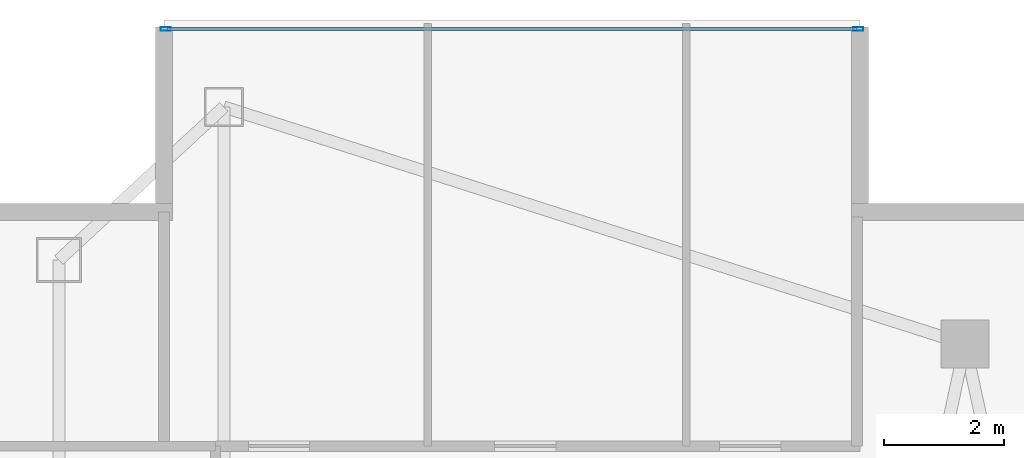
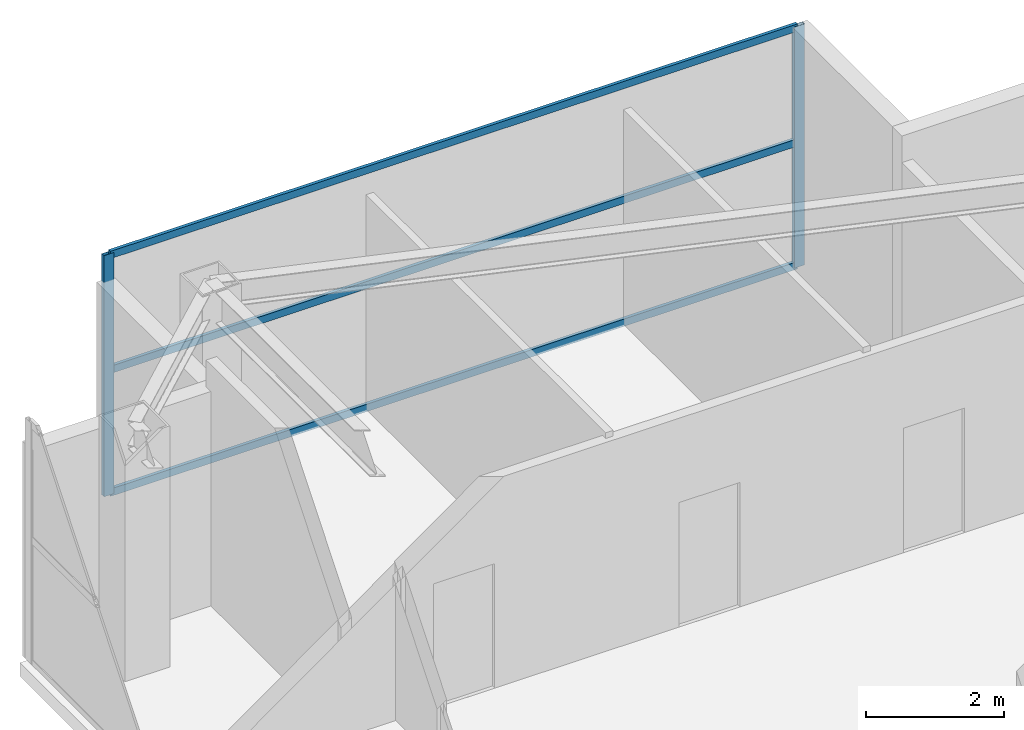
# One storey, part 19 of 25: 5 members, 1 element without a shape of its own.
"""IFC4 building model written with IfcOpenShell, lengths in metres."""

from ifc_helpers import new_model, si_unit, direction, frame, origin, origin_2d, place, context, subcontext, project, spatial, hollow_rectangle, extrude, material, layer, layer_set, material_profile, profile_set, type_object, element, aggregate, save


model = new_model("IFC4")

# Units and contexts
model_context = context("Model", 3, precision=1e-05, world=origin(), true_north=direction((0.0, 1.0)))
body_context = subcontext(model_context, "Body", "Model", "MODEL_VIEW")
ifc_project = project(units=[si_unit("LENGTHUNIT", "METRE"), si_unit("AREAUNIT", "SQUARE_METRE"), si_unit("VOLUMEUNIT", "CUBIC_METRE"), si_unit("PLANEANGLEUNIT", "RADIAN"), si_unit("MASSUNIT", "GRAM", prefix="KILO")], contexts=[model_context])

# Site, building, storey
site_placement = place(None, origin())
site = spatial("IfcSite", under=ifc_project, at=site_placement, CompositionType="ELEMENT")
building_placement = place(site_placement, origin())
building = spatial("IfcBuilding", under=site, at=building_placement, Name="Calvorn Quay Hotel", CompositionType="ELEMENT")
storey_placement = place(building_placement, frame((0.0, 0.0, 311.5)))
storey = spatial("IfcBuildingStorey", under=building, at=storey_placement, Name="L77", CompositionType="ELEMENT", Elevation=311.5)

# Curtain wall, members
ifc_material_1 = material(Name="Champagne Bronze Anodised Aluminium and Low-E Glass", Category="aluminium")
ifc_layer = layer(ifc_material_1, 0.219970703125)
ifc_layer_set = layer_set([ifc_layer], Name="CW-SYS-Z4")
curtain_wall_type = type_object("IfcCurtainWallType", Name="CW-SYS-Z4", PredefinedType="NOTDEFINED", material=ifc_layer_set)
curtain_wall_placement = place(storey_placement, origin())
curtain_wall = element("IfcCurtainWall", 1, at=curtain_wall_placement, inside=storey, type_object=curtain_wall_type, Name="Inner Court Curtain Wall L77-N1", PredefinedType="NOTDEFINED")
ifc_material_2 = material(Name="Champagne Bronze Anodised Aluminium 6063-T6", Category="aluminium")
ifc_material_profile_1 = material_profile(ifc_material_2, hollow_rectangle(XDim=0.06494140625, YDim=0.169921875, WallThickness=0.00341796875, at=origin_2d()), Name="ALU-M170x65x3.5")
ifc_profile_set_1 = profile_set([ifc_material_profile_1], Name="Champagne Bronze Anodised Aluminium 6063-T6")
member_type_1 = type_object("IfcMemberType", Name="CW-SYS-Z4-MUL", PredefinedType="MULLION", material=ifc_profile_set_1)
member_1_placement = place(storey_placement, frame((14.77001953125, 50.85009765625, 0.0), z_axis=(0.0, 0.0, 1.0), x_axis=(0.0, -1.0, 0.0)))
member_1 = element("IfcMember", 2, at=member_1_placement, type_object=member_type_1, Name="CW-L77-N1 mullion 1", PredefinedType="MULLION", context=body_context, shape_type="SweptSolid", body=[
    extrude(hollow_rectangle(XDim=0.06494140625, YDim=0.169921875, WallThickness=0.00341796875, at=origin_2d()), origin(), (0.0, 0.0, 1.0), 4.260009765625),
])
member_2_placement = place(storey_placement, frame((3.22998046875, 50.85009765625, 0.0), z_axis=(0.0, 0.0, 1.0), x_axis=(0.0, -1.0, 0.0)))
member_2 = element("IfcMember", 3, at=member_2_placement, type_object=member_type_1, Name="CW-L77-N1 mullion 2", PredefinedType="MULLION", context=body_context, shape_type="SweptSolid", body=[
    extrude(hollow_rectangle(XDim=0.06494140625, YDim=0.169921875, WallThickness=0.00341796875, at=origin_2d()), origin(), (0.0, 0.0, 1.0), 4.260009765625),
])
ifc_material_3 = material(Name="Champagne Bronze Anodised Aluminium 6063-T6", Category="aluminium")
ifc_material_profile_2 = material_profile(ifc_material_3, hollow_rectangle(XDim=0.054931640625, YDim=0.1298828125, WallThickness=0.003173828125, at=origin_2d()), Name="ALU-T130x55x3.2")
ifc_profile_set_2 = profile_set([ifc_material_profile_2], Name="Champagne Bronze Anodised Aluminium 6063-T6")
member_type_2 = type_object("IfcMemberType", Name="CW-SYS-Z4-TRN", PredefinedType="USERDEFINED", material=ifc_profile_set_2)
member_3_placement = place(storey_placement, frame((14.739990234375, 50.85009765625, 0.030029296875), z_axis=(-1.0, 0.0, 0.0), x_axis=(0.0, -1.0, 0.0)))
member_3 = element("IfcMember", 4, at=member_3_placement, type_object=member_type_2, Name="CW-L77-N1 transom 1.1", ObjectType="TRANSOM", PredefinedType="USERDEFINED", context=body_context, shape_type="SweptSolid", body=[
    extrude(hollow_rectangle(XDim=0.054931640625, YDim=0.1298828125, WallThickness=0.003173828125, at=origin_2d()), origin(), (0.0, 0.0, 1.0), 11.47998046875),
])
member_4_placement = place(storey_placement, frame((14.739990234375, 50.85009765625, 2.199951171875), z_axis=(-1.0, 0.0, 0.0), x_axis=(0.0, -1.0, 0.0)))
member_4 = element("IfcMember", 5, at=member_4_placement, type_object=member_type_2, Name="CW-L77-N1 transom 1.2", ObjectType="TRANSOM", PredefinedType="USERDEFINED", context=body_context, shape_type="SweptSolid", body=[
    extrude(hollow_rectangle(XDim=0.054931640625, YDim=0.1298828125, WallThickness=0.003173828125, at=origin_2d()), origin(), (0.0, 0.0, 1.0), 11.47998046875),
])
member_5_placement = place(storey_placement, frame((14.739990234375, 50.85009765625, 4.22998046875), z_axis=(-1.0, 0.0, 0.0), x_axis=(0.0, -1.0, 0.0)))
member_5 = element("IfcMember", 6, at=member_5_placement, type_object=member_type_2, Name="CW-L77-N1 transom 1.3", ObjectType="TRANSOM", PredefinedType="USERDEFINED", context=body_context, shape_type="SweptSolid", body=[
    extrude(hollow_rectangle(XDim=0.054931640625, YDim=0.1298828125, WallThickness=0.003173828125, at=origin_2d()), origin(), (0.0, 0.0, 1.0), 11.47998046875),
])
aggregate(curtain_wall, [member_1, member_2, member_3, member_4, member_5])

save(model, "model.ifc")
